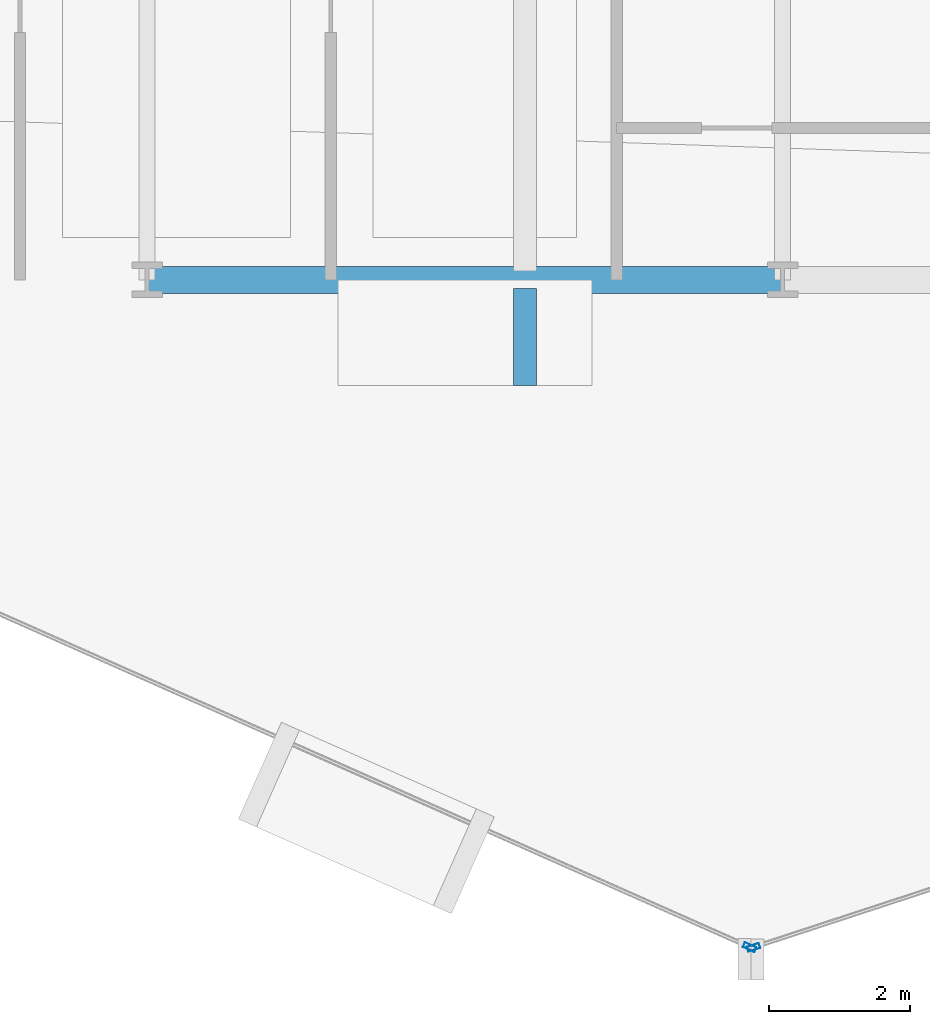
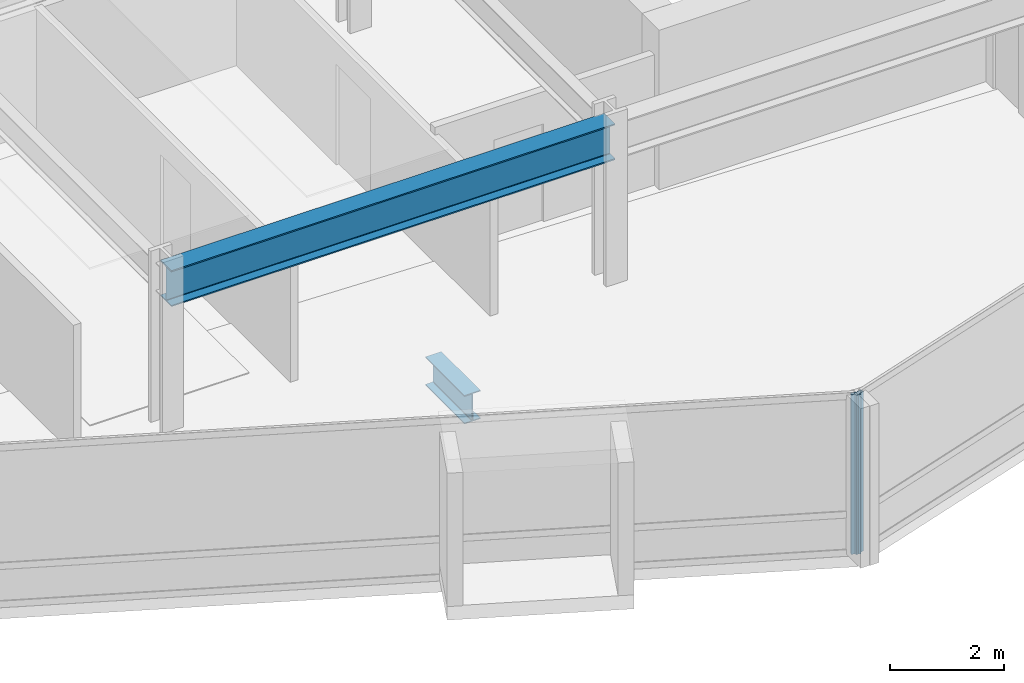
# One storey, part 4 of 34: 2 beams, 2 members, 2 elements without a shape of their own.
"""IFC4 building model written with IfcOpenShell, lengths in metres."""

from ifc_helpers import new_model, si_unit, direction, frame, origin, origin_2d, place, context, subcontext, project, spatial, hollow_rectangle, i_section, extrude, material, layer, layer_set, material_profile, profile_set, type_object, element, aggregate, save


model = new_model("IFC4")

# Units and contexts
model_context = context("Model", 3, precision=1e-05, world=origin(), true_north=direction((0.0, 1.0)))
body_context = subcontext(model_context, "Body", "Model", "MODEL_VIEW")
ifc_project = project(units=[si_unit("LENGTHUNIT", "METRE"), si_unit("AREAUNIT", "SQUARE_METRE"), si_unit("VOLUMEUNIT", "CUBIC_METRE"), si_unit("PLANEANGLEUNIT", "RADIAN"), si_unit("MASSUNIT", "GRAM", prefix="KILO")], contexts=[model_context])

# Site, building, storey
site_placement = place(None, origin())
site = spatial("IfcSite", under=ifc_project, at=site_placement, CompositionType="ELEMENT")
building_placement = place(site_placement, origin())
building = spatial("IfcBuilding", under=site, at=building_placement, Name="Solvaryn Broadcast Tower", CompositionType="ELEMENT")
storey_placement = place(building_placement, frame((0.0, 0.0, 54.5)))
storey = spatial("IfcBuildingStorey", under=building, at=storey_placement, Name="L12", CompositionType="ELEMENT", Elevation=54.5)

# Beams
ifc_material_1 = material(Name="Steel ASTM A992 Grade 50", Category="steel")
ifc_material_profile_1 = material_profile(ifc_material_1, i_section(OverallWidth=0.323974609375, OverallDepth=0.611083984375, WebThickness=0.0126953125, FlangeThickness=0.01904296875, FilletRadius=0.014892578125, at=origin_2d()))
ifc_profile_set_1 = profile_set([ifc_material_profile_1], Name="Steel ASTM A992 Grade 50")
beam_type_1 = type_object("IfcBeamType", Name="BM-CANT-TER", PredefinedType="BEAM", material=ifc_profile_set_1)
beam_1_placement = place(storey_placement, frame((23.35009765625, 8.875, -0.58544921875), z_axis=(0.0, -1.0, 0.0), x_axis=(1.0, 0.0, 0.0)))
element("IfcBeam", 1, at=beam_1_placement, inside=storey, type_object=beam_type_1, Name="L12 Bay-Box Cantilever Bracket 1", PredefinedType="BEAM", context=body_context, shape_type="SweptSolid", body=[
    extrude(i_section(OverallWidth=0.323974609375, OverallDepth=0.611083984375, WebThickness=0.0126953125, FlangeThickness=0.01904296875, FilletRadius=0.014892578125, at=origin_2d()), origin(), (0.0, 0.0, 1.0), 1.375),
])
ifc_material_2 = material(Name="Steel ASTM A992 Grade 50", Category="steel")
ifc_material_profile_2 = material_profile(ifc_material_2, i_section(OverallWidth=0.381103515625, OverallDepth=0.77294921875, WebThickness=0.0166015625, FlangeThickness=0.027099609375, FilletRadius=0.01806640625, at=origin_2d()))
ifc_profile_set_2 = profile_set([ifc_material_profile_2], Name="Steel ASTM A992 Grade 50")
beam_type_2 = type_object("IfcBeamType", Name="BM-SP1-W30X173", PredefinedType="USERDEFINED", material=ifc_profile_set_2)
beam_2_placement = place(storey_placement, frame((18.0, 9.0, 3.033447265625), z_axis=(1.0, 0.0, 0.0), x_axis=(0.0, 1.0, 0.0)))
element("IfcBeam", 2, at=beam_2_placement, inside=storey, type_object=beam_type_2, Name="L12 Spandrel Beam X (18-27 @ Y=9)", ObjectType="SPANDREL", PredefinedType="USERDEFINED", context=body_context, shape_type="SweptSolid", body=[
    extrude(i_section(OverallWidth=0.381103515625, OverallDepth=0.77294921875, WebThickness=0.0166015625, FlangeThickness=0.027099609375, FilletRadius=0.01806640625, at=origin_2d()), origin(), (0.0, 0.0, 1.0), 9.0),
])

# Curtain wall, member
ifc_material_3 = material(Name="Aluminium and Terracotta Unitised Curtain Wall", Category="masonry")
ifc_layer = layer(ifc_material_3, 0.199951171875)
ifc_layer_set = layer_set([ifc_layer], Name="CW-SYS2-LOWMID")
curtain_wall_type = type_object("IfcCurtainWallType", Name="CW-SYS2-LOWMID", PredefinedType="NOTDEFINED", material=ifc_layer_set)
curtain_wall_1_placement = place(storey_placement, origin())
curtain_wall_1 = element("IfcCurtainWall", 3, at=curtain_wall_1_placement, inside=storey, type_object=curtain_wall_type, Name="L12 Curtain Wall DR3", PredefinedType="NOTDEFINED")
ifc_material_4 = material(Name="Anodised Aluminium 6063-T6", Category="aluminium")
ifc_material_profile_3 = material_profile(ifc_material_4, hollow_rectangle(XDim=0.074951171875, YDim=0.179931640625, WallThickness=0.00390625, InnerFilletRadius=0.00390625, OuterFilletRadius=0.008056640625, at=origin_2d()))
ifc_profile_set_3 = profile_set([ifc_material_profile_3], Name="Anodised Aluminium 6063-T6")
member_type = type_object("IfcMemberType", Name="CW-MUL-180", PredefinedType="MULLION", material=ifc_profile_set_3)
member_1_placement = place(storey_placement, frame((26.532470703125, -0.451904296875, 0.0), z_axis=(0.0, 0.0, 1.0), x_axis=(0.405898286554, 0.913918257271, 0.0)))
member_1 = element("IfcMember", 4, at=member_1_placement, type_object=member_type, Name="CWS2 mullion 2", PredefinedType="MULLION", context=body_context, shape_type="SweptSolid", body=[
    extrude(hollow_rectangle(XDim=0.074951171875, YDim=0.179931640625, WallThickness=0.00390625, InnerFilletRadius=0.00390625, OuterFilletRadius=0.008056640625, at=origin_2d()), origin(), (0.0, 0.0, 1.0), 3.419921875),
])
aggregate(curtain_wall_1, [member_1])

curtain_wall_2_placement = place(storey_placement, origin())
curtain_wall_2 = element("IfcCurtainWall", 5, at=curtain_wall_2_placement, inside=storey, type_object=curtain_wall_type, Name="L12 Curtain Wall DR4", PredefinedType="NOTDEFINED")
member_2_placement = place(storey_placement, frame((26.588623046875, -0.45458984375, 0.0), z_axis=(0.0, 0.0, 1.0), x_axis=(-0.311594044587, 0.950215318429, 0.0)))
member_2 = element("IfcMember", 6, at=member_2_placement, type_object=member_type, Name="CWS2 mullion 1", PredefinedType="MULLION", context=body_context, shape_type="SweptSolid", body=[
    extrude(hollow_rectangle(XDim=0.074951171875, YDim=0.179931640625, WallThickness=0.00390625, InnerFilletRadius=0.00390625, OuterFilletRadius=0.008056640625, at=origin_2d()), origin(), (0.0, 0.0, 1.0), 3.419921875),
])
aggregate(curtain_wall_2, [member_2])

save(model, "model.ifc")
